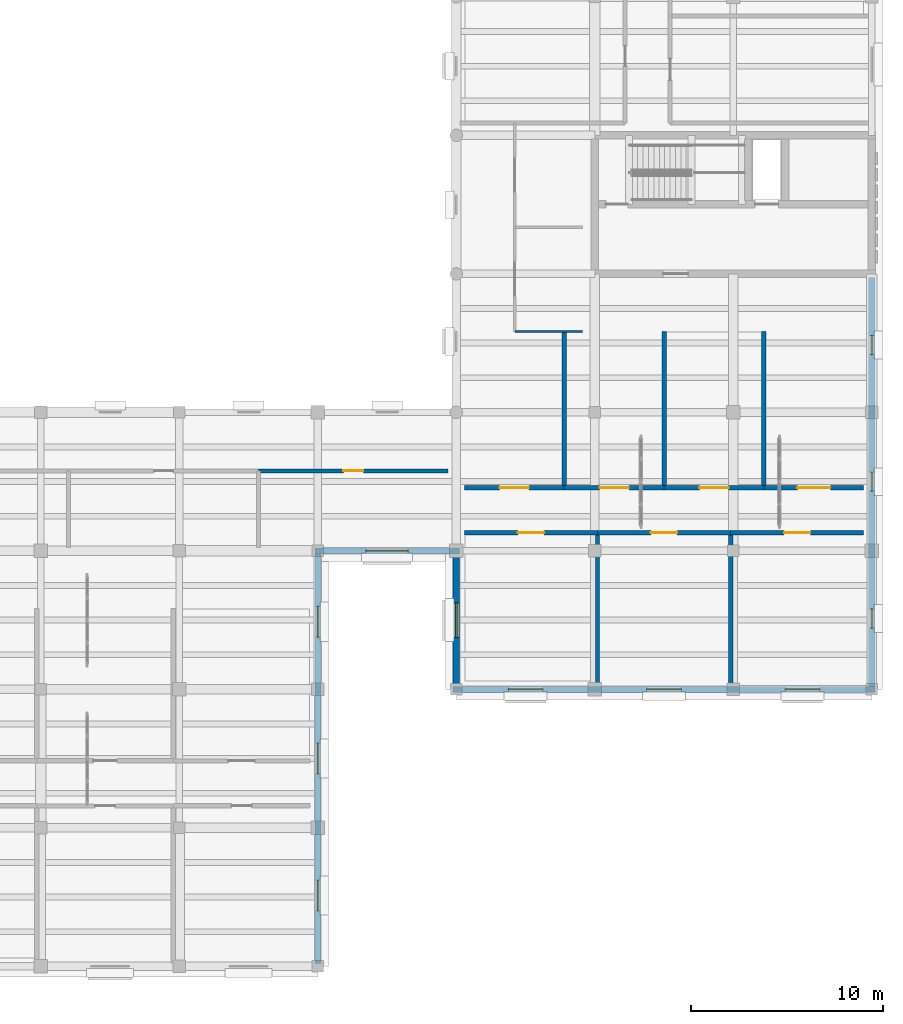
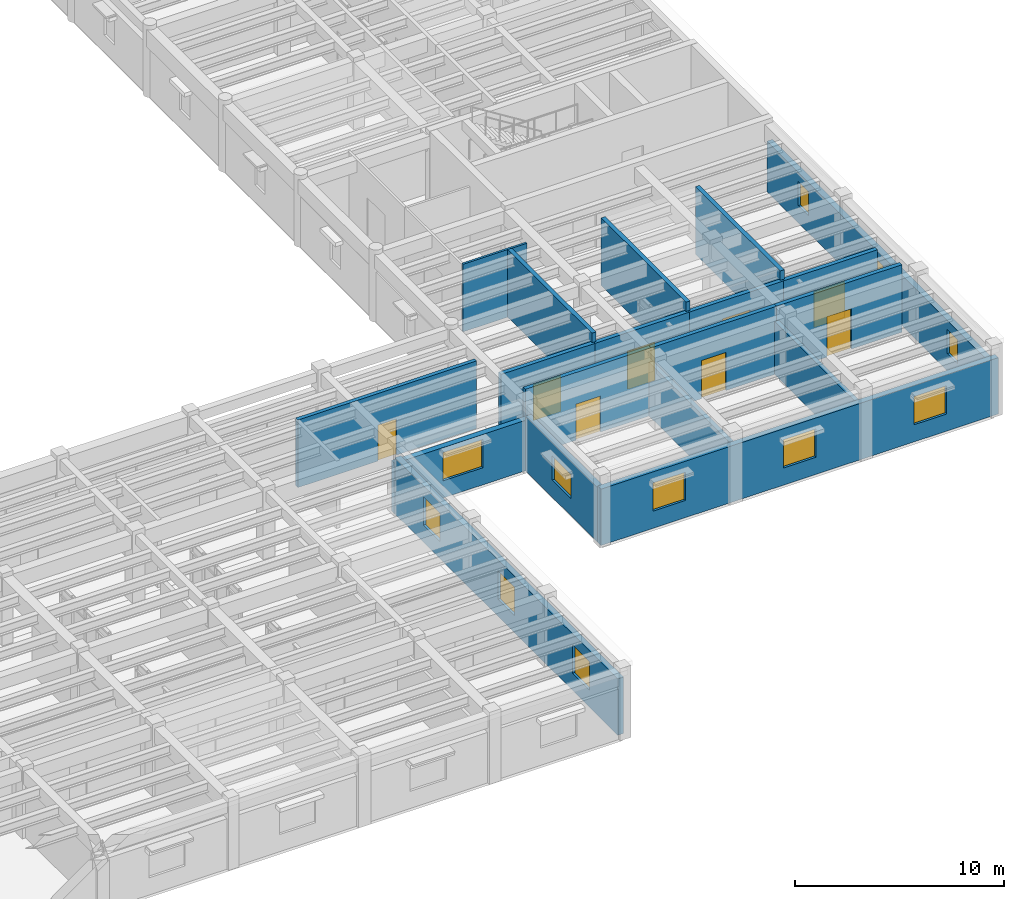
# One storey, part 51 of 66: 19 walls, 11 windows, 8 doors, 19 openings.
"""IFC4 building model written with IfcOpenShell, lengths in metres."""

from ifc_helpers import new_model, si_unit, direction, frame, frame_2d, origin, place, context, subcontext, project, spatial, rectangle, extrude, material, layer, layer_set, type_object, element, fill, save


model = new_model("IFC4")

# Units and contexts
model_context = context("Model", 3, precision=1e-05, world=origin(), true_north=direction((0.0, 1.0)))
body_context = subcontext(model_context, "Body", "Model", "MODEL_VIEW")
ifc_project = project(units=[si_unit("LENGTHUNIT", "METRE"), si_unit("AREAUNIT", "SQUARE_METRE"), si_unit("VOLUMEUNIT", "CUBIC_METRE"), si_unit("PLANEANGLEUNIT", "RADIAN"), si_unit("MASSUNIT", "GRAM", prefix="KILO")], contexts=[model_context])

# Site, building, storey
site_placement = place(None, origin())
site = spatial("IfcSite", under=ifc_project, at=site_placement, CompositionType="ELEMENT")
building_placement = place(site_placement, origin())
building = spatial("IfcBuilding", under=site, at=building_placement, Name="Mithqara Police Headquarters", CompositionType="ELEMENT")
storey_placement = place(building_placement, frame((0.0, 0.0, 9.60009765625)))
storey = spatial("IfcBuildingStorey", under=building, at=storey_placement, Name="L02", CompositionType="ELEMENT", Elevation=9.60009765625)

# Wall, openings, windows
ifc_material_1 = material(Name="Limestone ashlar masonry, 45 MPa", Category="masonry")
ifc_layer_1 = layer(ifc_material_1, 0.320068359375, Name="Limestone ashlar masonry, 45 MPa")
ifc_layer_set_1 = layer_set([ifc_layer_1], Name="Limestone ashlar masonry, 45 MPa")
wall_type_1 = type_object("IfcWallType", Name="EXT WALL LIMESTONE320", PredefinedType="SOLIDWALL", material=ifc_layer_set_1)
wall_1_placement = place(storey_placement, frame((137.39990234375, 6.760009765625, 0.0), z_axis=(0.0, 0.0, 1.0), x_axis=(0.0, 1.0, 0.0)))
wall_1 = element("IfcWall", 1, at=wall_1_placement, inside=storey, type_object=wall_type_1, Name="L02 Exterior Wall 3.1", PredefinedType="SOLIDWALL", context=body_context, shape_type="SweptSolid", body=[
    extrude(rectangle(XDim=21.280029296875, YDim=0.320068359375, at=frame_2d((10.64013671875, 0.0))), origin(), (0.0, 0.0, 1.0), 3.289794921875),
])
opening_1_placement = place(wall_1_placement, frame((2.719970703125, 0.0, 1.0)))
opening_1 = element("IfcOpeningElement", 2, at=opening_1_placement, cuts=wall_1, Name="Opening W-27", PredefinedType="OPENING", context=body_context, shape_type="SweptSolid", body=[
    extrude(rectangle(XDim=1.60009765625, YDim=1.64990234375, at=frame_2d((0.800048828125, 0.824951171875))), frame((0.0, 0.169921875, 0.0), z_axis=(0.0, -1.0, 0.0), x_axis=(1.0, 0.0, 0.0)), (0.0, 0.0, 1.0), 0.340087890625),
])
opening_2_placement = place(wall_1_placement, frame((9.840087890625, 0.0, 1.0)))
opening_2 = element("IfcOpeningElement", 3, at=opening_2_placement, cuts=wall_1, Name="Opening W-27", PredefinedType="OPENING", context=body_context, shape_type="SweptSolid", body=[
    extrude(rectangle(XDim=1.60009765625, YDim=1.64990234375, at=frame_2d((0.800048828125, 0.824951171875))), frame((0.0, 0.169921875, 0.0), z_axis=(0.0, -1.0, 0.0), x_axis=(1.0, 0.0, 0.0)), (0.0, 0.0, 1.0), 0.340087890625),
])
opening_3_placement = place(wall_1_placement, frame((16.9599609375, 0.0, 1.0)))
opening_3 = element("IfcOpeningElement", 4, at=opening_3_placement, cuts=wall_1, Name="Opening W-27", PredefinedType="OPENING", context=body_context, shape_type="SweptSolid", body=[
    extrude(rectangle(XDim=1.60009765625, YDim=1.64990234375, at=frame_2d((0.800048828125, 0.824951171875))), frame((0.0, 0.169921875, 0.0), z_axis=(0.0, -1.0, 0.0), x_axis=(1.0, 0.0, 0.0)), (0.0, 0.0, 1.0), 0.340087890625),
])
ifc_material_2 = material(Name="Spectrally selective double low-e glass", Category="glass")
window_type_1 = type_object("IfcWindowType", Name="WINDOW 1600X1650", PartitioningType="SINGLE_PANEL", PredefinedType="WINDOW", material=ifc_material_2)
window_1_placement = place(opening_1_placement, origin())
window_1 = element("IfcWindow", 5, at=window_1_placement, inside=storey, type_object=window_type_1, Name="L02 Deep-Set Punched Window 3.1", OverallHeight=1.64990234375, OverallWidth=1.60009765625, PartitioningType="SINGLE_PANEL", PredefinedType="WINDOW", context=body_context, shape_type="SweptSolid", body=[
    extrude(rectangle(XDim=1.60009765625, YDim=1.64990234375, at=frame_2d((0.800048828125, 0.824951171875))), frame((0.0, 0.030029296875, 0.0), z_axis=(0.0, -1.0, 0.0), x_axis=(1.0, 0.0, 0.0)), (0.0, 0.0, 1.0), 0.06005859375),
])
fill(opening_1, window_1)
window_2_placement = place(opening_2_placement, origin())
window_2 = element("IfcWindow", 6, at=window_2_placement, inside=storey, type_object=window_type_1, Name="L02 Deep-Set Punched Window 3.2", OverallHeight=1.64990234375, OverallWidth=1.60009765625, PartitioningType="SINGLE_PANEL", PredefinedType="WINDOW", context=body_context, shape_type="SweptSolid", body=[
    extrude(rectangle(XDim=1.60009765625, YDim=1.64990234375, at=frame_2d((0.800048828125, 0.824951171875))), frame((0.0, 0.030029296875, 0.0), z_axis=(0.0, -1.0, 0.0), x_axis=(1.0, 0.0, 0.0)), (0.0, 0.0, 1.0), 0.06005859375),
])
fill(opening_2, window_2)
window_3_placement = place(opening_3_placement, origin())
window_3 = element("IfcWindow", 7, at=window_3_placement, inside=storey, type_object=window_type_1, Name="L02 Deep-Set Punched Window 3.3", OverallHeight=1.64990234375, OverallWidth=1.60009765625, PartitioningType="SINGLE_PANEL", PredefinedType="WINDOW", context=body_context, shape_type="SweptSolid", body=[
    extrude(rectangle(XDim=1.60009765625, YDim=1.64990234375, at=frame_2d((0.800048828125, 0.824951171875))), frame((0.0, 0.030029296875, 0.0), z_axis=(0.0, -1.0, 0.0), x_axis=(1.0, 0.0, 0.0)), (0.0, 0.0, 1.0), 0.06005859375),
])
fill(opening_3, window_3)

# Wall, opening, window
wall_2_placement = place(storey_placement, frame((137.239990234375, 28.199951171875, 0.0), z_axis=(0.0, 0.0, 1.0), x_axis=(1.0, 0.0, 0.0)))
wall_2 = element("IfcWall", 8, at=wall_2_placement, inside=storey, type_object=wall_type_1, Name="L02 Exterior Wall 4.1", PredefinedType="SOLIDWALL", context=body_context, shape_type="SweptSolid", body=[
    extrude(rectangle(XDim=7.52001953125, YDim=0.320068359375, at=frame_2d((3.760009765625, 0.0))), origin(), (0.0, 0.0, 1.0), 2.93994140625),
])
opening_4_placement = place(wall_2_placement, frame((2.659912109375, 0.0, 1.0)))
opening_4 = element("IfcOpeningElement", 9, at=opening_4_placement, cuts=wall_2, Name="Opening W-42", PredefinedType="OPENING", context=body_context, shape_type="SweptSolid", body=[
    extrude(rectangle(XDim=2.199951171875, YDim=1.64990234375, at=frame_2d((1.10009765625, 0.824951171875))), frame((0.0, 0.169921875, 0.0), z_axis=(0.0, -1.0, 0.0), x_axis=(1.0, 0.0, 0.0)), (0.0, 0.0, 1.0), 0.340087890625),
])
window_type_2 = type_object("IfcWindowType", Name="WINDOW 2200X1650", PartitioningType="DOUBLE_PANEL_VERTICAL", PredefinedType="WINDOW", material=ifc_material_2)
window_4_placement = place(opening_4_placement, origin())
window_4 = element("IfcWindow", 10, at=window_4_placement, inside=storey, type_object=window_type_2, Name="L02 Deep-Set Punched Window 4.1", OverallHeight=1.64990234375, OverallWidth=2.199951171875, PartitioningType="SINGLE_PANEL", PredefinedType="WINDOW", context=body_context, shape_type="SweptSolid", body=[
    extrude(rectangle(XDim=2.199951171875, YDim=1.64990234375, at=frame_2d((1.10009765625, 0.824951171875))), frame((0.0, 0.030029296875, 0.0), z_axis=(0.0, -1.0, 0.0), x_axis=(1.0, 0.0, 0.0)), (0.0, 0.0, 1.0), 0.06005859375),
])
fill(opening_4, window_4)

wall_3_placement = place(storey_placement, frame((144.60009765625, 28.0400390625, 0.0), z_axis=(0.0, 0.0, 1.0), x_axis=(0.0, -1.0, 0.0)))
wall_3 = element("IfcWall", 11, at=wall_3_placement, inside=storey, type_object=wall_type_1, Name="L02 Exterior Wall 5.1", PredefinedType="SOLIDWALL", context=body_context, shape_type="SweptSolid", body=[
    extrude(rectangle(XDim=6.880126953125, YDim=0.320068359375, at=frame_2d((3.43994140625, 0.0))), origin(), (0.0, 0.0, 1.0), 3.18994140625),
])
opening_5_placement = place(wall_3_placement, frame((2.5400390625, 0.0, 1.0)))
opening_5 = element("IfcOpeningElement", 12, at=opening_5_placement, cuts=wall_3, Name="Opening W-31", PredefinedType="OPENING", context=body_context, shape_type="SweptSolid", body=[
    extrude(rectangle(XDim=1.800048828125, YDim=1.39990234375, at=frame_2d((0.89990234375, 0.699951171875))), frame((0.0, 0.169921875, 0.0), z_axis=(0.0, -1.0, 0.0), x_axis=(1.0, 0.0, 0.0)), (0.0, 0.0, 1.0), 0.340087890625),
])
window_type_3 = type_object("IfcWindowType", Name="WINDOW 1800X1400", PartitioningType="DOUBLE_PANEL_VERTICAL", PredefinedType="WINDOW", material=ifc_material_2)
window_5_placement = place(opening_5_placement, origin())
window_5 = element("IfcWindow", 13, at=window_5_placement, inside=storey, type_object=window_type_3, Name="L02 Deep-Set Punched Window 5.1", OverallHeight=1.39990234375, OverallWidth=1.800048828125, PartitioningType="SINGLE_PANEL", PredefinedType="WINDOW", context=body_context, shape_type="SweptSolid", body=[
    extrude(rectangle(XDim=1.800048828125, YDim=1.39990234375, at=frame_2d((0.89990234375, 0.699951171875))), frame((0.0, 0.030029296875, 0.0), z_axis=(0.0, -1.0, 0.0), x_axis=(1.0, 0.0, 0.0)), (0.0, 0.0, 1.0), 0.06005859375),
])
fill(opening_5, window_5)

# Wall, openings, windows
wall_4_placement = place(storey_placement, frame((144.43994140625, 21.0, 0.0), z_axis=(0.0, 0.0, 1.0), x_axis=(1.0, 0.0, 0.0)))
wall_4 = element("IfcWall", 14, at=wall_4_placement, inside=storey, type_object=wall_type_1, Name="L02 Exterior Wall 6.1", PredefinedType="SOLIDWALL", context=body_context, shape_type="SweptSolid", body=[
    extrude(rectangle(XDim=21.920166015625, YDim=0.320068359375, at=frame_2d((10.9599609375, 0.0))), origin(), (0.0, 0.0, 1.0), 3.289794921875),
])
opening_6_placement = place(wall_4_placement, frame((2.860107421875, 0.0, 1.0)))
opening_6 = element("IfcOpeningElement", 15, at=opening_6_placement, cuts=wall_4, Name="Opening W-32", PredefinedType="OPENING", context=body_context, shape_type="SweptSolid", body=[
    extrude(rectangle(XDim=1.800048828125, YDim=1.64990234375, at=frame_2d((0.89990234375, 0.824951171875))), frame((0.0, 0.169921875, 0.0), z_axis=(0.0, -1.0, 0.0), x_axis=(1.0, 0.0, 0.0)), (0.0, 0.0, 1.0), 0.340087890625),
])
opening_7_placement = place(wall_4_placement, frame((10.06005859375, 0.0, 1.0)))
opening_7 = element("IfcOpeningElement", 16, at=opening_7_placement, cuts=wall_4, Name="Opening W-32", PredefinedType="OPENING", context=body_context, shape_type="SweptSolid", body=[
    extrude(rectangle(XDim=1.800048828125, YDim=1.64990234375, at=frame_2d((0.89990234375, 0.824951171875))), frame((0.0, 0.169921875, 0.0), z_axis=(0.0, -1.0, 0.0), x_axis=(1.0, 0.0, 0.0)), (0.0, 0.0, 1.0), 0.340087890625),
])
opening_8_placement = place(wall_4_placement, frame((17.260009765625, 0.0, 1.0)))
opening_8 = element("IfcOpeningElement", 17, at=opening_8_placement, cuts=wall_4, Name="Opening W-32", PredefinedType="OPENING", context=body_context, shape_type="SweptSolid", body=[
    extrude(rectangle(XDim=1.800048828125, YDim=1.64990234375, at=frame_2d((0.89990234375, 0.824951171875))), frame((0.0, 0.169921875, 0.0), z_axis=(0.0, -1.0, 0.0), x_axis=(1.0, 0.0, 0.0)), (0.0, 0.0, 1.0), 0.340087890625),
])
window_type_4 = type_object("IfcWindowType", Name="WINDOW 1800X1650", PartitioningType="DOUBLE_PANEL_VERTICAL", PredefinedType="WINDOW", material=ifc_material_2)
window_6_placement = place(opening_6_placement, origin())
window_6 = element("IfcWindow", 18, at=window_6_placement, inside=storey, type_object=window_type_4, Name="L02 Deep-Set Punched Window 6.1", OverallHeight=1.64990234375, OverallWidth=1.800048828125, PartitioningType="SINGLE_PANEL", PredefinedType="WINDOW", context=body_context, shape_type="SweptSolid", body=[
    extrude(rectangle(XDim=1.800048828125, YDim=1.64990234375, at=frame_2d((0.89990234375, 0.824951171875))), frame((0.0, 0.030029296875, 0.0), z_axis=(0.0, -1.0, 0.0), x_axis=(1.0, 0.0, 0.0)), (0.0, 0.0, 1.0), 0.06005859375),
])
fill(opening_6, window_6)
window_7_placement = place(opening_7_placement, origin())
window_7 = element("IfcWindow", 19, at=window_7_placement, inside=storey, type_object=window_type_4, Name="L02 Deep-Set Punched Window 6.2", OverallHeight=1.64990234375, OverallWidth=1.800048828125, PartitioningType="SINGLE_PANEL", PredefinedType="WINDOW", context=body_context, shape_type="SweptSolid", body=[
    extrude(rectangle(XDim=1.800048828125, YDim=1.64990234375, at=frame_2d((0.89990234375, 0.824951171875))), frame((0.0, 0.030029296875, 0.0), z_axis=(0.0, -1.0, 0.0), x_axis=(1.0, 0.0, 0.0)), (0.0, 0.0, 1.0), 0.06005859375),
])
fill(opening_7, window_7)
window_8_placement = place(opening_8_placement, origin())
window_8 = element("IfcWindow", 20, at=window_8_placement, inside=storey, type_object=window_type_4, Name="L02 Deep-Set Punched Window 6.3", OverallHeight=1.64990234375, OverallWidth=1.800048828125, PartitioningType="SINGLE_PANEL", PredefinedType="WINDOW", context=body_context, shape_type="SweptSolid", body=[
    extrude(rectangle(XDim=1.800048828125, YDim=1.64990234375, at=frame_2d((0.89990234375, 0.824951171875))), frame((0.0, 0.030029296875, 0.0), z_axis=(0.0, -1.0, 0.0), x_axis=(1.0, 0.0, 0.0)), (0.0, 0.0, 1.0), 0.06005859375),
])
fill(opening_8, window_8)

wall_5_placement = place(storey_placement, frame((166.199951171875, 21.159912109375, 0.0), z_axis=(0.0, 0.0, 1.0), x_axis=(0.0, 1.0, 0.0)))
wall_5 = element("IfcWall", 21, at=wall_5_placement, inside=storey, type_object=wall_type_1, Name="L02 Exterior Wall 7.1", PredefinedType="SOLIDWALL", context=body_context, shape_type="SweptSolid", body=[
    extrude(rectangle(XDim=21.25, YDim=0.320068359375, at=frame_2d((10.625, 0.0))), origin(), (0.0, 0.0, 1.0), 2.93994140625),
])
opening_9_placement = place(wall_5_placement, frame((3.02001953125, 0.0, 1.0)))
opening_9 = element("IfcOpeningElement", 22, at=opening_9_placement, cuts=wall_5, Name="Opening W-06", PredefinedType="OPENING", context=body_context, shape_type="SweptSolid", body=[
    extrude(rectangle(XDim=1.0, YDim=1.39990234375, at=frame_2d((0.5, 0.699951171875))), frame((0.0, 0.169921875, 0.0), z_axis=(0.0, -1.0, 0.0), x_axis=(1.0, 0.0, 0.0)), (0.0, 0.0, 1.0), 0.340087890625),
])
opening_10_placement = place(wall_5_placement, frame((10.139892578125, 0.0, 1.0)))
opening_10 = element("IfcOpeningElement", 23, at=opening_10_placement, cuts=wall_5, Name="Opening W-06", PredefinedType="OPENING", context=body_context, shape_type="SweptSolid", body=[
    extrude(rectangle(XDim=1.0, YDim=1.39990234375, at=frame_2d((0.5, 0.699951171875))), frame((0.0, 0.169921875, 0.0), z_axis=(0.0, -1.0, 0.0), x_axis=(1.0, 0.0, 0.0)), (0.0, 0.0, 1.0), 0.340087890625),
])
opening_11_placement = place(wall_5_placement, frame((17.2451171875, 0.0, 1.0)))
opening_11 = element("IfcOpeningElement", 24, at=opening_11_placement, cuts=wall_5, Name="Opening W-06", PredefinedType="OPENING", context=body_context, shape_type="SweptSolid", body=[
    extrude(rectangle(XDim=1.0, YDim=1.39990234375, at=frame_2d((0.5, 0.699951171875))), frame((0.0, 0.169921875, 0.0), z_axis=(0.0, -1.0, 0.0), x_axis=(1.0, 0.0, 0.0)), (0.0, 0.0, 1.0), 0.340087890625),
])
window_type_5 = type_object("IfcWindowType", Name="WINDOW 1000X1400", PartitioningType="SINGLE_PANEL", PredefinedType="WINDOW", material=ifc_material_2)
window_9_placement = place(opening_9_placement, origin())
window_9 = element("IfcWindow", 25, at=window_9_placement, inside=storey, type_object=window_type_5, Name="L02 Deep-Set Punched Window 7.1", OverallHeight=1.39990234375, OverallWidth=1.0, PartitioningType="SINGLE_PANEL", PredefinedType="WINDOW", context=body_context, shape_type="SweptSolid", body=[
    extrude(rectangle(XDim=1.0, YDim=1.39990234375, at=frame_2d((0.5, 0.699951171875))), frame((0.0, 0.030029296875, 0.0), z_axis=(0.0, -1.0, 0.0), x_axis=(1.0, 0.0, 0.0)), (0.0, 0.0, 1.0), 0.06005859375),
])
fill(opening_9, window_9)
window_10_placement = place(opening_10_placement, origin())
window_10 = element("IfcWindow", 26, at=window_10_placement, inside=storey, type_object=window_type_5, Name="L02 Deep-Set Punched Window 7.2", OverallHeight=1.39990234375, OverallWidth=1.0, PartitioningType="SINGLE_PANEL", PredefinedType="WINDOW", context=body_context, shape_type="SweptSolid", body=[
    extrude(rectangle(XDim=1.0, YDim=1.39990234375, at=frame_2d((0.5, 0.699951171875))), frame((0.0, 0.030029296875, 0.0), z_axis=(0.0, -1.0, 0.0), x_axis=(1.0, 0.0, 0.0)), (0.0, 0.0, 1.0), 0.06005859375),
])
fill(opening_10, window_10)
window_11_placement = place(opening_11_placement, origin())
window_11 = element("IfcWindow", 27, at=window_11_placement, inside=storey, type_object=window_type_5, Name="L02 Deep-Set Punched Window 7.3", OverallHeight=1.39990234375, OverallWidth=1.0, PartitioningType="SINGLE_PANEL", PredefinedType="WINDOW", context=body_context, shape_type="SweptSolid", body=[
    extrude(rectangle(XDim=1.0, YDim=1.39990234375, at=frame_2d((0.5, 0.699951171875))), frame((0.0, 0.030029296875, 0.0), z_axis=(0.0, -1.0, 0.0), x_axis=(1.0, 0.0, 0.0)), (0.0, 0.0, 1.0), 0.06005859375),
])
fill(opening_11, window_11)

# Wall
ifc_material_3 = material(Name="Gypsum acoustic stud partition", Category="gypsum")
ifc_layer_2 = layer(ifc_material_3, 0.1201171875, Name="Gypsum acoustic stud partition")
ifc_layer_set_2 = layer_set([ifc_layer_2], Name="Gypsum acoustic stud partition")
wall_type_2 = type_object("IfcWallType", Name="PART WALL 120", PredefinedType="PARTITIONING", material=ifc_layer_set_2)
wall_6_placement = place(storey_placement, frame((147.639892578125, 39.60009765625, 0.0), z_axis=(0.0, 0.0, 1.0), x_axis=(1.0, 0.0, 0.0)))
element("IfcWall", 28, at=wall_6_placement, inside=storey, type_object=wall_type_2, Name="L02 Partition End Closure E0", PredefinedType="PARTITIONING", context=body_context, shape_type="SweptSolid", body=[
    extrude(rectangle(XDim=3.510009765625, YDim=0.1201171875, at=frame_2d((1.7548828125, 0.0))), origin(), (0.0, 0.0, 1.0), 3.93994140625),
])

# Wall, opening, door
ifc_material_4 = material(Name="Concrete C40/50", Category="concrete")
ifc_layer_3 = layer(ifc_material_4, 0.2099609375, Name="Concrete C40/50")
ifc_layer_set_3 = layer_set([ifc_layer_3], Name="Concrete C40/50")
wall_type_3 = type_object("IfcWallType", Name="PART WALL 210", PredefinedType="PARTITIONING", material=ifc_layer_set_3)
wall_7_placement = place(storey_placement, frame((134.31396484375, 32.360107421875, 0.0), z_axis=(0.0, 0.0, 1.0), x_axis=(1.0, 0.0, 0.0)))
wall_7 = element("IfcWall", 29, at=wall_7_placement, inside=storey, type_object=wall_type_3, Name="L02 Corridor Wall Community Safety Analysis Office", PredefinedType="PARTITIONING", context=body_context, shape_type="SweptSolid", body=[
    extrude(rectangle(XDim=9.865966796875, YDim=0.2099609375, at=frame_2d((4.93310546875, 0.0))), origin(), (0.0, 0.0, 1.0), 3.93994140625),
])
opening_12_placement = place(wall_7_placement, frame((4.4130859375, 0.0, 0.0)))
opening_12 = element("IfcOpeningElement", 30, at=opening_12_placement, cuts=wall_7, Name="Opening D-07", PredefinedType="OPENING", context=body_context, shape_type="SweptSolid", body=[
    extrude(rectangle(XDim=1.0400390625, YDim=2.10009765625, at=frame_2d((0.52001953125, 1.050048828125))), frame((0.0, 0.114990234375, 0.0), z_axis=(0.0, -1.0, 0.0), x_axis=(1.0, 0.0, 0.0)), (0.0, 0.0, 1.0), 0.22998046875),
])
ifc_material_5 = material(Name="Acoustic solid-core timber leaf", Category="wood")
door_type_1 = type_object("IfcDoorType", Name="INT DOOR 1040X2100", OperationType="NOTDEFINED", PredefinedType="DOOR", material=ifc_material_5)
door_1_placement = place(opening_12_placement, frame((1.0400390625, 0.0, 0.0), z_axis=(0.0, 0.0, 1.0), x_axis=(-1.0, 0.0, 0.0)))
door_1 = element("IfcDoor", 31, at=door_1_placement, inside=storey, type_object=door_type_1, Name="Community Safety Analysis Office Entry Door", OperationType="SINGLE_SWING_RIGHT", OverallHeight=2.10009765625, OverallWidth=1.0400390625, PredefinedType="DOOR", context=body_context, shape_type="SweptSolid", body=[
    extrude(rectangle(XDim=1.0400390625, YDim=2.10009765625, at=frame_2d((0.52001953125, 1.050048828125))), frame((0.0, 0.02490234375, 0.0), z_axis=(0.0, -1.0, 0.0), x_axis=(1.0, 0.0, 0.0)), (0.0, 0.0, 1.0), 0.050048828125),
])
fill(opening_12, door_1)

ifc_layer_4 = layer(ifc_material_4, 0.22998046875, Name="Concrete C40/50")
ifc_layer_set_4 = layer_set([ifc_layer_4], Name="Concrete C40/50")
wall_type_4 = type_object("IfcWallType", Name="PART WALL 230", PredefinedType="PARTITIONING", material=ifc_layer_set_4)
wall_8_placement = place(storey_placement, frame((145.02001953125, 29.14990234375, 0.0), z_axis=(0.0, 0.0, 1.0), x_axis=(1.0, 0.0, 0.0)))
wall_8 = element("IfcWall", 32, at=wall_8_placement, inside=storey, type_object=wall_type_4, Name="L02 Corridor Wall Forensic Laboratory", PredefinedType="PARTITIONING", context=body_context, shape_type="SweptSolid", body=[
    extrude(rectangle(XDim=6.919921875, YDim=0.22998046875, at=frame_2d((3.4599609375, 0.0))), origin(), (0.0, 0.0, 1.0), 3.93994140625),
])
opening_13_placement = place(wall_8_placement, frame((2.780029296875, 0.0, 0.0)))
opening_13 = element("IfcOpeningElement", 33, at=opening_13_placement, cuts=wall_8, Name="Opening D-16", PredefinedType="OPENING", context=body_context, shape_type="SweptSolid", body=[
    extrude(rectangle(XDim=1.360107421875, YDim=2.10009765625, at=frame_2d((0.68017578125, 1.050048828125))), frame((0.0, 0.125, 0.0), z_axis=(0.0, -1.0, 0.0), x_axis=(1.0, 0.0, 0.0)), (0.0, 0.0, 1.0), 0.25),
])
ifc_material_6 = material(Name="Bronze anodised aluminium 6063-T6", Category="aluminium")
door_type_2 = type_object("IfcDoorType", Name="INT DOOR 1360X2100", OperationType="NOTDEFINED", PredefinedType="DOOR", material=ifc_material_6)
door_2_placement = place(opening_13_placement, frame((1.360107421875, 0.0, 0.0), z_axis=(0.0, 0.0, 1.0), x_axis=(-1.0, 0.0, 0.0)))
door_2 = element("IfcDoor", 34, at=door_2_placement, inside=storey, type_object=door_type_2, Name="Forensic Laboratory Entry Door", OperationType="SINGLE_SWING_LEFT", OverallHeight=2.10009765625, OverallWidth=1.360107421875, PredefinedType="DOOR", context=body_context, shape_type="SweptSolid", body=[
    extrude(rectangle(XDim=1.360107421875, YDim=2.10009765625, at=frame_2d((0.68017578125, 1.050048828125))), frame((0.0, 0.02490234375, 0.0), z_axis=(0.0, -1.0, 0.0), x_axis=(1.0, 0.0, 0.0)), (0.0, 0.0, 1.0), 0.050048828125),
])
fill(opening_13, door_2)

# Wall
wall_9_placement = place(storey_placement, frame((151.93994140625, 21.179931640625, 0.0), z_axis=(0.0, 0.0, 1.0), x_axis=(0.0, 1.0, 0.0)))
element("IfcWall", 35, at=wall_9_placement, inside=storey, type_object=wall_type_4, Name="L02 Room Partition Forensic Laboratory", PredefinedType="PARTITIONING", context=body_context, shape_type="SweptSolid", body=[
    extrude(rectangle(XDim=7.969970703125, YDim=0.22998046875, at=frame_2d((3.98486328125, 0.0))), origin(), (0.0, 0.0, 1.0), 3.139892578125),
])

# Wall, opening, door
wall_10_placement = place(storey_placement, frame((151.93994140625, 29.14990234375, 0.0), z_axis=(0.0, 0.0, 1.0), x_axis=(1.0, 0.0, 0.0)))
wall_10 = element("IfcWall", 36, at=wall_10_placement, inside=storey, type_object=wall_type_4, Name="L02 Corridor Wall Ballistics Laboratory", PredefinedType="PARTITIONING", context=body_context, shape_type="SweptSolid", body=[
    extrude(rectangle(XDim=6.920166015625, YDim=0.22998046875, at=frame_2d((3.4599609375, 0.0))), origin(), (0.0, 0.0, 1.0), 3.93994140625),
])
opening_14_placement = place(wall_10_placement, frame((2.780029296875, 0.0, 0.0)))
opening_14 = element("IfcOpeningElement", 37, at=opening_14_placement, cuts=wall_10, Name="Opening D-17", PredefinedType="OPENING", context=body_context, shape_type="SweptSolid", body=[
    extrude(rectangle(XDim=1.360107421875, YDim=2.219970703125, at=frame_2d((0.68017578125, 1.10986328125))), frame((0.0, 0.125, 0.0), z_axis=(0.0, -1.0, 0.0), x_axis=(1.0, 0.0, 0.0)), (0.0, 0.0, 1.0), 0.25),
])
door_type_3 = type_object("IfcDoorType", Name="INT DOOR 1360X2220", OperationType="NOTDEFINED", PredefinedType="DOOR", material=ifc_material_6)
door_3_placement = place(opening_14_placement, frame((1.360107421875, 0.0, 0.0), z_axis=(0.0, 0.0, 1.0), x_axis=(-1.0, 0.0, 0.0)))
door_3 = element("IfcDoor", 38, at=door_3_placement, inside=storey, type_object=door_type_3, Name="Ballistics Laboratory Entry Door", OperationType="SINGLE_SWING_RIGHT", OverallHeight=2.219970703125, OverallWidth=1.360107421875, PredefinedType="DOOR", context=body_context, shape_type="SweptSolid", body=[
    extrude(rectangle(XDim=1.360107421875, YDim=2.219970703125, at=frame_2d((0.68017578125, 1.10986328125))), frame((0.0, 0.02490234375, 0.0), z_axis=(0.0, -1.0, 0.0), x_axis=(1.0, 0.0, 0.0)), (0.0, 0.0, 1.0), 0.050048828125),
])
fill(opening_14, door_3)

# Wall
wall_11_placement = place(storey_placement, frame((158.860107421875, 21.179931640625, 0.0), z_axis=(0.0, 0.0, 1.0), x_axis=(0.0, 1.0, 0.0)))
element("IfcWall", 39, at=wall_11_placement, inside=storey, type_object=wall_type_4, Name="L02 Room Partition Ballistics Laboratory", PredefinedType="PARTITIONING", context=body_context, shape_type="SweptSolid", body=[
    extrude(rectangle(XDim=7.969970703125, YDim=0.22998046875, at=frame_2d((3.98486328125, 0.0))), origin(), (0.0, 0.0, 1.0), 3.08984375),
])

# Wall, opening, door
wall_12_placement = place(storey_placement, frame((158.860107421875, 29.14990234375, 0.0), z_axis=(0.0, 0.0, 1.0), x_axis=(1.0, 0.0, 0.0)))
wall_12 = element("IfcWall", 40, at=wall_12_placement, inside=storey, type_object=wall_type_4, Name="L02 Corridor Wall Toxicology Laboratory", PredefinedType="PARTITIONING", context=body_context, shape_type="SweptSolid", body=[
    extrude(rectangle(XDim=6.919921875, YDim=0.22998046875, at=frame_2d((3.4599609375, 0.0))), origin(), (0.0, 0.0, 1.0), 3.93994140625),
])
opening_15_placement = place(wall_12_placement, frame((2.780029296875, 0.0, 0.0)))
opening_15 = element("IfcOpeningElement", 41, at=opening_15_placement, cuts=wall_12, Name="Opening D-18", PredefinedType="OPENING", context=body_context, shape_type="SweptSolid", body=[
    extrude(rectangle(XDim=1.360107421875, YDim=2.35009765625, at=frame_2d((0.68017578125, 1.175048828125))), frame((0.0, 0.125, 0.0), z_axis=(0.0, -1.0, 0.0), x_axis=(1.0, 0.0, 0.0)), (0.0, 0.0, 1.0), 0.25),
])
door_type_4 = type_object("IfcDoorType", Name="INT DOOR 1360X2350", OperationType="NOTDEFINED", PredefinedType="DOOR", material=ifc_material_6)
door_4_placement = place(opening_15_placement, frame((1.360107421875, 0.0, 0.0), z_axis=(0.0, 0.0, 1.0), x_axis=(-1.0, 0.0, 0.0)))
door_4 = element("IfcDoor", 42, at=door_4_placement, inside=storey, type_object=door_type_4, Name="Toxicology Laboratory Entry Door", OperationType="SINGLE_SWING_LEFT", OverallHeight=2.35009765625, OverallWidth=1.360107421875, PredefinedType="DOOR", context=body_context, shape_type="SweptSolid", body=[
    extrude(rectangle(XDim=1.360107421875, YDim=2.35009765625, at=frame_2d((0.68017578125, 1.175048828125))), frame((0.0, 0.02490234375, 0.0), z_axis=(0.0, -1.0, 0.0), x_axis=(1.0, 0.0, 0.0)), (0.0, 0.0, 1.0), 0.050048828125),
])
fill(opening_15, door_4)

wall_13_placement = place(storey_placement, frame((145.02001953125, 31.489990234375, 0.0), z_axis=(0.0, 0.0, 1.0), x_axis=(1.0, 0.0, 0.0)))
wall_13 = element("IfcWall", 43, at=wall_13_placement, inside=storey, type_object=wall_type_4, Name="L02 Corridor Wall Firearms Water Recovery Room", PredefinedType="PARTITIONING", context=body_context, shape_type="SweptSolid", body=[
    extrude(rectangle(XDim=5.18994140625, YDim=0.22998046875, at=frame_2d((2.594970703125, 0.0))), origin(), (0.0, 0.0, 1.0), 3.389892578125),
])
opening_16_placement = place(wall_13_placement, frame((1.8349609375, 0.0, 0.0)))
opening_16 = element("IfcOpeningElement", 44, at=opening_16_placement, cuts=wall_13, Name="Opening D-19", PredefinedType="OPENING", context=body_context, shape_type="SweptSolid", body=[
    extrude(rectangle(XDim=1.52001953125, YDim=2.10009765625, at=frame_2d((0.760009765625, 1.050048828125))), frame((0.0, 0.125, 0.0), z_axis=(0.0, -1.0, 0.0), x_axis=(1.0, 0.0, 0.0)), (0.0, 0.0, 1.0), 0.25),
])
door_type_5 = type_object("IfcDoorType", Name="INT DOOR 1520X2100", OperationType="NOTDEFINED", PredefinedType="DOOR", material=ifc_material_6)
door_5_placement = place(opening_16_placement, origin())
door_5 = element("IfcDoor", 45, at=door_5_placement, inside=storey, type_object=door_type_5, Name="Firearms Water Recovery Room Entry Door", OperationType="DOUBLE_DOOR_SINGLE_SWING", OverallHeight=2.10009765625, OverallWidth=1.52001953125, PredefinedType="DOOR", context=body_context, shape_type="SweptSolid", body=[
    extrude(rectangle(XDim=1.52001953125, YDim=2.10009765625, at=frame_2d((0.760009765625, 1.050048828125))), frame((0.0, 0.02490234375, 0.0), z_axis=(0.0, -1.0, 0.0), x_axis=(1.0, 0.0, 0.0)), (0.0, 0.0, 1.0), 0.050048828125),
])
fill(opening_16, door_5)

# Wall
wall_14_placement = place(storey_placement, frame((150.2099609375, 31.489990234375, 0.0), z_axis=(0.0, 0.0, 1.0), x_axis=(0.0, 1.0, 0.0)))
element("IfcWall", 46, at=wall_14_placement, inside=storey, type_object=wall_type_4, Name="L02 Room Partition Firearms Water Recovery Room", PredefinedType="PARTITIONING", context=body_context, shape_type="SweptSolid", body=[
    extrude(rectangle(XDim=8.110107421875, YDim=0.22998046875, at=frame_2d((4.05517578125, 0.0))), origin(), (0.0, 0.0, 1.0), 3.93994140625),
])

# Wall, opening, door
wall_15_placement = place(storey_placement, frame((150.2099609375, 31.489990234375, 0.0), z_axis=(0.0, 0.0, 1.0), x_axis=(1.0, 0.0, 0.0)))
wall_15 = element("IfcWall", 47, at=wall_15_placement, inside=storey, type_object=wall_type_4, Name="L02 Corridor Wall Forensic Laboratory", PredefinedType="PARTITIONING", context=body_context, shape_type="SweptSolid", body=[
    extrude(rectangle(XDim=5.18994140625, YDim=0.22998046875, at=frame_2d((2.594970703125, 0.0))), origin(), (0.0, 0.0, 1.0), 3.389892578125),
])
opening_17_placement = place(wall_15_placement, frame((1.8349609375, 0.0, 0.0)))
opening_17 = element("IfcOpeningElement", 48, at=opening_17_placement, cuts=wall_15, Name="Opening D-20", PredefinedType="OPENING", context=body_context, shape_type="SweptSolid", body=[
    extrude(rectangle(XDim=1.52001953125, YDim=2.219970703125, at=frame_2d((0.760009765625, 1.10986328125))), frame((0.0, 0.125, 0.0), z_axis=(0.0, -1.0, 0.0), x_axis=(1.0, 0.0, 0.0)), (0.0, 0.0, 1.0), 0.25),
])
door_type_6 = type_object("IfcDoorType", Name="INT DOOR 1520X2220", OperationType="NOTDEFINED", PredefinedType="DOOR", material=ifc_material_6)
door_6_placement = place(opening_17_placement, origin())
door_6 = element("IfcDoor", 49, at=door_6_placement, inside=storey, type_object=door_type_6, Name="Forensic Laboratory Entry Door", OperationType="DOUBLE_DOOR_SINGLE_SWING", OverallHeight=2.219970703125, OverallWidth=1.52001953125, PredefinedType="DOOR", context=body_context, shape_type="SweptSolid", body=[
    extrude(rectangle(XDim=1.52001953125, YDim=2.219970703125, at=frame_2d((0.760009765625, 1.10986328125))), frame((0.0, 0.02490234375, 0.0), z_axis=(0.0, -1.0, 0.0), x_axis=(1.0, 0.0, 0.0)), (0.0, 0.0, 1.0), 0.050048828125),
])
fill(opening_17, door_6)

# Wall
wall_16_placement = place(storey_placement, frame((155.39990234375, 31.489990234375, 0.0), z_axis=(0.0, 0.0, 1.0), x_axis=(0.0, 1.0, 0.0)))
element("IfcWall", 50, at=wall_16_placement, inside=storey, type_object=wall_type_4, Name="L02 Room Partition Forensic Laboratory", PredefinedType="PARTITIONING", context=body_context, shape_type="SweptSolid", body=[
    extrude(rectangle(XDim=8.110107421875, YDim=0.22998046875, at=frame_2d((4.05517578125, 0.0))), origin(), (0.0, 0.0, 1.0), 3.93994140625),
])

# Wall, opening, door
wall_17_placement = place(storey_placement, frame((155.39990234375, 31.489990234375, 0.0), z_axis=(0.0, 0.0, 1.0), x_axis=(1.0, 0.0, 0.0)))
wall_17 = element("IfcWall", 51, at=wall_17_placement, inside=storey, type_object=wall_type_4, Name="L02 Corridor Wall Ballistics Laboratory", PredefinedType="PARTITIONING", context=body_context, shape_type="SweptSolid", body=[
    extrude(rectangle(XDim=5.190185546875, YDim=0.22998046875, at=frame_2d((2.59521484375, 0.0))), origin(), (0.0, 0.0, 1.0), 3.389892578125),
])
opening_18_placement = place(wall_17_placement, frame((1.8349609375, 0.0, 0.0)))
opening_18 = element("IfcOpeningElement", 52, at=opening_18_placement, cuts=wall_17, Name="Opening D-21", PredefinedType="OPENING", context=body_context, shape_type="SweptSolid", body=[
    extrude(rectangle(XDim=1.52001953125, YDim=2.35009765625, at=frame_2d((0.760009765625, 1.175048828125))), frame((0.0, 0.125, 0.0), z_axis=(0.0, -1.0, 0.0), x_axis=(1.0, 0.0, 0.0)), (0.0, 0.0, 1.0), 0.25),
])
door_type_7 = type_object("IfcDoorType", Name="INT DOOR 1520X2350", OperationType="NOTDEFINED", PredefinedType="DOOR", material=ifc_material_6)
door_7_placement = place(opening_18_placement, origin())
door_7 = element("IfcDoor", 53, at=door_7_placement, inside=storey, type_object=door_type_7, Name="Ballistics Laboratory Entry Door", OperationType="DOUBLE_DOOR_SINGLE_SWING", OverallHeight=2.35009765625, OverallWidth=1.52001953125, PredefinedType="DOOR", context=body_context, shape_type="SweptSolid", body=[
    extrude(rectangle(XDim=1.52001953125, YDim=2.35009765625, at=frame_2d((0.760009765625, 1.175048828125))), frame((0.0, 0.02490234375, 0.0), z_axis=(0.0, -1.0, 0.0), x_axis=(1.0, 0.0, 0.0)), (0.0, 0.0, 1.0), 0.050048828125),
])
fill(opening_18, door_7)

# Wall
wall_18_placement = place(storey_placement, frame((160.590087890625, 31.489990234375, 0.0), z_axis=(0.0, 0.0, 1.0), x_axis=(0.0, 1.0, 0.0)))
element("IfcWall", 54, at=wall_18_placement, inside=storey, type_object=wall_type_4, Name="L02 Room Partition Ballistics Laboratory", PredefinedType="PARTITIONING", context=body_context, shape_type="SweptSolid", body=[
    extrude(rectangle(XDim=8.110107421875, YDim=0.22998046875, at=frame_2d((4.05517578125, 0.0))), origin(), (0.0, 0.0, 1.0), 3.93994140625),
])

# Wall, opening, door
wall_19_placement = place(storey_placement, frame((160.590087890625, 31.489990234375, 0.0), z_axis=(0.0, 0.0, 1.0), x_axis=(1.0, 0.0, 0.0)))
wall_19 = element("IfcWall", 55, at=wall_19_placement, inside=storey, type_object=wall_type_4, Name="L02 Corridor Wall Toxicology Laboratory", PredefinedType="PARTITIONING", context=body_context, shape_type="SweptSolid", body=[
    extrude(rectangle(XDim=5.18994140625, YDim=0.22998046875, at=frame_2d((2.594970703125, 0.0))), origin(), (0.0, 0.0, 1.0), 3.389892578125),
])
opening_19_placement = place(wall_19_placement, frame((1.735107421875, 0.0, 0.0)))
opening_19 = element("IfcOpeningElement", 56, at=opening_19_placement, cuts=wall_19, Name="Opening D-22", PredefinedType="OPENING", context=body_context, shape_type="SweptSolid", body=[
    extrude(rectangle(XDim=1.719970703125, YDim=2.10009765625, at=frame_2d((0.85986328125, 1.050048828125))), frame((0.0, 0.125, 0.0), z_axis=(0.0, -1.0, 0.0), x_axis=(1.0, 0.0, 0.0)), (0.0, 0.0, 1.0), 0.25),
])
door_type_8 = type_object("IfcDoorType", Name="INT DOOR 1720X2100", OperationType="NOTDEFINED", PredefinedType="DOOR", material=ifc_material_6)
door_8_placement = place(opening_19_placement, origin())
door_8 = element("IfcDoor", 57, at=door_8_placement, inside=storey, type_object=door_type_8, Name="Toxicology Laboratory Entry Door", OperationType="DOUBLE_DOOR_SINGLE_SWING", OverallHeight=2.10009765625, OverallWidth=1.719970703125, PredefinedType="DOOR", context=body_context, shape_type="SweptSolid", body=[
    extrude(rectangle(XDim=1.719970703125, YDim=2.10009765625, at=frame_2d((0.85986328125, 1.050048828125))), frame((0.0, 0.02490234375, 0.0), z_axis=(0.0, -1.0, 0.0), x_axis=(1.0, 0.0, 0.0)), (0.0, 0.0, 1.0), 0.050048828125),
])
fill(opening_19, door_8)

save(model, "model.ifc")
